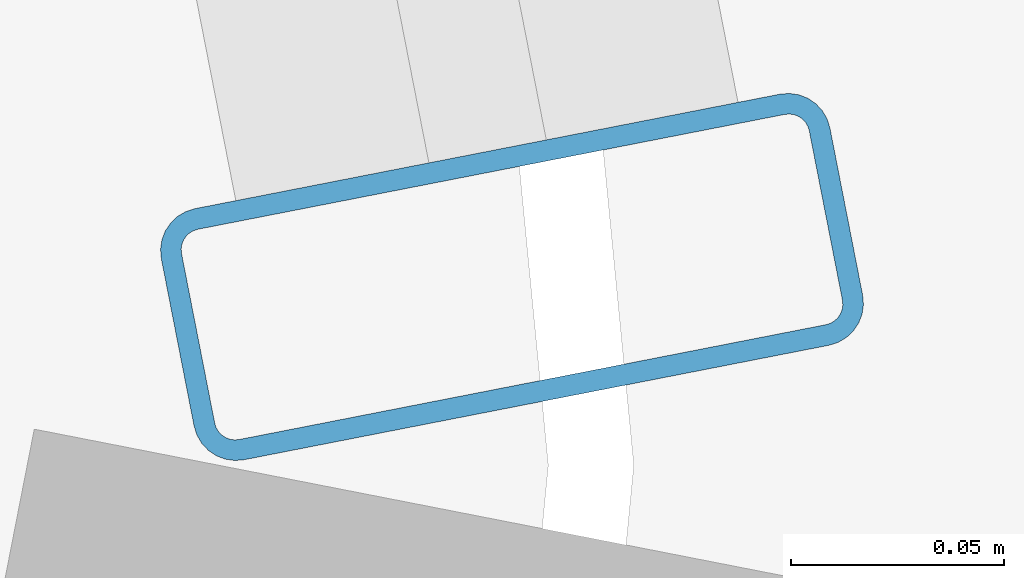
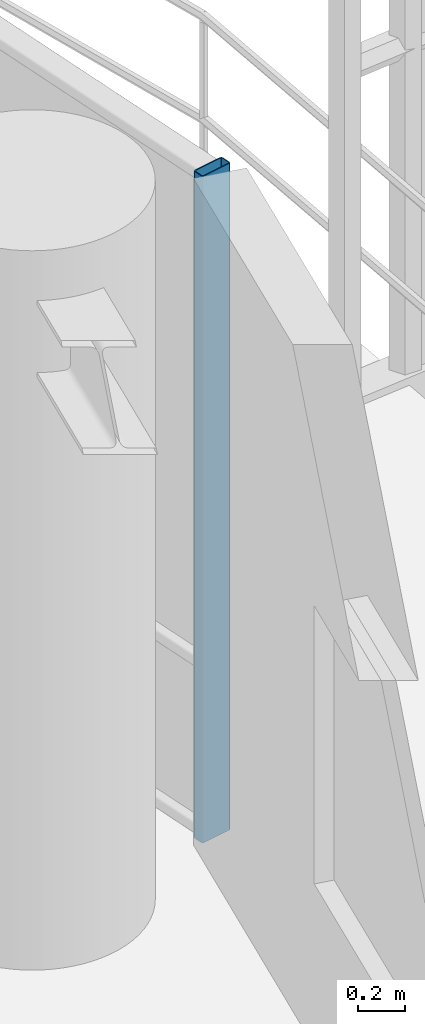
# One storey, part 14 of 31: 1 member, 1 element without a shape of its own.
"""IFC4 building model written with IfcOpenShell, lengths in metres."""

from ifc_helpers import new_model, si_unit, direction, frame, origin, origin_2d, place, context, subcontext, project, spatial, hollow_rectangle, extrude, material, layer, layer_set, material_profile, profile_set, type_object, element, aggregate, save


model = new_model("IFC4")

# Units and contexts
model_context = context("Model", 3, precision=1e-05, world=origin(), true_north=direction((0.0, 1.0)))
body_context = subcontext(model_context, "Body", "Model", "MODEL_VIEW")
ifc_project = project(units=[si_unit("LENGTHUNIT", "METRE"), si_unit("AREAUNIT", "SQUARE_METRE"), si_unit("VOLUMEUNIT", "CUBIC_METRE"), si_unit("PLANEANGLEUNIT", "RADIAN"), si_unit("MASSUNIT", "GRAM", prefix="KILO")], contexts=[model_context])

# Site, building, storey
site_placement = place(None, origin())
site = spatial("IfcSite", under=ifc_project, at=site_placement, CompositionType="ELEMENT")
building_placement = place(site_placement, origin())
building = spatial("IfcBuilding", under=site, at=building_placement, Name="Kelanora Arch Commons", CompositionType="ELEMENT")
storey_placement = place(building_placement, frame((0.0, 0.0, 226.949951171875)))
storey = spatial("IfcBuildingStorey", under=building, at=storey_placement, Name="L58", CompositionType="ELEMENT", Elevation=226.949951171875)

# Curtain wall, member
ifc_material_1 = material(Name="Terracotta ceramic-fritted low-E glass and aluminium", Category="masonry")
ifc_layer = layer(ifc_material_1, 0.175048828125)
ifc_layer_set = layer_set([ifc_layer], Name="Terracotta ceramic-fritted low-E glass and aluminium")
curtain_wall_type = type_object("IfcCurtainWallType", Name="CW-SYS-02", PredefinedType="NOTDEFINED", material=ifc_layer_set)
curtain_wall_placement = place(storey_placement, origin())
curtain_wall = element("IfcCurtainWall", 1, at=curtain_wall_placement, inside=storey, type_object=curtain_wall_type, Name="Unitised Curtain Wall L58-B00", PredefinedType="NOTDEFINED")
ifc_material_2 = material(Name="Powder-coated aluminium terracotta", Category="masonry")
ifc_material_profile = material_profile(ifc_material_2, hollow_rectangle(XDim=0.159912109375, YDim=0.06005859375, WallThickness=0.0048828125, InnerFilletRadius=0.0048828125, OuterFilletRadius=0.010009765625, at=origin_2d()), Name="CWM160x60")
ifc_profile_set = profile_set([ifc_material_profile], Name="Powder-coated aluminium terracotta")
member_type = type_object("IfcMemberType", Name="CWM-STD", PredefinedType="MULLION", material=ifc_profile_set)
member_placement = place(storey_placement, frame((96.19140625, 58.044189453125, 0.0), z_axis=(0.0, 0.0, 1.0), x_axis=(-0.981381438349, -0.192068926335, 0.0)))
member = element("IfcMember", 2, at=member_placement, type_object=member_type, Name="CW-02 mullion 1", PredefinedType="MULLION", context=body_context, shape_type="SweptSolid", body=[
    extrude(hollow_rectangle(XDim=0.159912109375, YDim=0.06005859375, WallThickness=0.0048828125, InnerFilletRadius=0.0048828125, OuterFilletRadius=0.010009765625, at=origin_2d()), origin(), (0.0, 0.0, 1.0), 3.47509765625),
])
aggregate(curtain_wall, [member])

save(model, "model.ifc")
